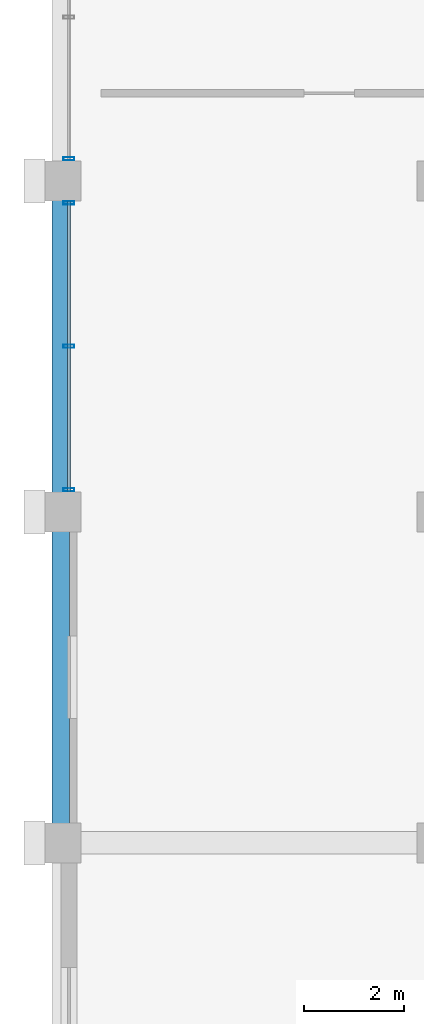
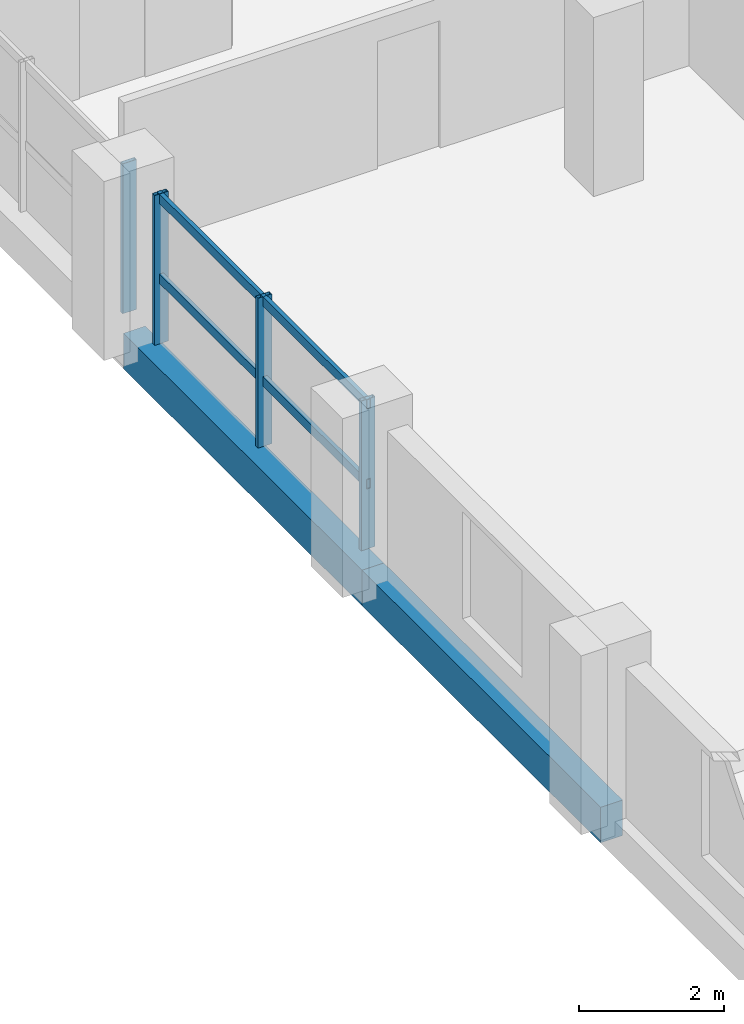
# One storey, part 5 of 23: 6 members, 2 beams, 2 elements without a shape of their own.
"""IFC4 building model written with IfcOpenShell, lengths in metres."""

from ifc_helpers import new_model, si_unit, direction, frame, origin, origin_2d, place, context, subcontext, project, spatial, rectangle, hollow_rectangle, extrude, material, material_profile, profile_set, type_object, element, aggregate, save


model = new_model("IFC4")

# Units and contexts
model_context = context("Model", 3, precision=1e-05, world=origin(), true_north=direction((0.0, 1.0)))
body_context = subcontext(model_context, "Body", "Model", "MODEL_VIEW")
ifc_project = project(units=[si_unit("LENGTHUNIT", "METRE"), si_unit("AREAUNIT", "SQUARE_METRE"), si_unit("VOLUMEUNIT", "CUBIC_METRE"), si_unit("PLANEANGLEUNIT", "RADIAN"), si_unit("MASSUNIT", "GRAM", prefix="KILO")], contexts=[model_context])

# Site, building, storey
site_placement = place(None, origin())
site = spatial("IfcSite", under=ifc_project, at=site_placement, CompositionType="ELEMENT")
building_placement = place(site_placement, origin())
building = spatial("IfcBuilding", under=site, at=building_placement, Name="Akrevak Sports Hall", CompositionType="ELEMENT")
storey_placement = place(building_placement, frame((0.0, 0.0, 43.800048828125)))
storey = spatial("IfcBuildingStorey", under=building, at=storey_placement, Name="L10", CompositionType="ELEMENT", Elevation=43.800048828125)

# Curtain wall, member
ifc_material_1 = material(Name="Anodized Bronze Aluminium & Low-E Glass", Category="aluminium")
curtain_wall_type = type_object("IfcCurtainWallType", Name="ARC-CW-TWR-64x30", PredefinedType="NOTDEFINED", material=ifc_material_1)
curtain_wall_1_placement = place(storey_placement, origin())
curtain_wall_1 = element("IfcCurtainWall", 1, at=curtain_wall_1_placement, inside=storey, type_object=curtain_wall_type, Name="Curtain Wall CW-L10-W30", PredefinedType="NOTDEFINED")
ifc_material_2 = material(Name="Anodized Bronze Aluminium", Category="aluminium")
ifc_material_profile_1 = material_profile(ifc_material_2, hollow_rectangle(XDim=0.06494140625, YDim=0.219970703125, WallThickness=0.00439453125, at=origin_2d()), Name="CWM 65x220", Category="aluminium")
ifc_profile_set_1 = profile_set([ifc_material_profile_1], Name="Anodized Bronze Aluminium")
member_type_1 = type_object("IfcMemberType", Name="ARC-CWM-70x160", PredefinedType="MULLION", material=ifc_profile_set_1)
member_1_placement = place(storey_placement, frame((52.659912109375, 49.0400390625, 0.0), z_axis=(0.0, 0.0, 1.0), x_axis=(0.0, -1.0, 0.0)))
member_1 = element("IfcMember", 2, at=member_1_placement, type_object=member_type_1, Name="Curtain Wall Mullion CW-L10-W30-M3", PredefinedType="MULLION", context=body_context, shape_type="SweptSolid", body=[
    extrude(hollow_rectangle(XDim=0.06494140625, YDim=0.219970703125, WallThickness=0.00439453125, at=origin_2d()), origin(), (0.0, 0.0, 1.0), 2.530029296875),
])
aggregate(curtain_wall_1, [member_1])

# Curtain wall, members
curtain_wall_2_placement = place(storey_placement, origin())
curtain_wall_2 = element("IfcCurtainWall", 3, at=curtain_wall_2_placement, inside=storey, type_object=curtain_wall_type, Name="Curtain Wall CW-L10-W31", PredefinedType="NOTDEFINED")
member_2_placement = place(storey_placement, frame((52.659912109375, 48.159912109375, 0.0), z_axis=(0.0, 0.0, 1.0), x_axis=(0.0, -1.0, 0.0)))
member_2 = element("IfcMember", 4, at=member_2_placement, type_object=member_type_1, Name="Curtain Wall Mullion CW-L10-W31-M1", PredefinedType="MULLION", context=body_context, shape_type="SweptSolid", body=[
    extrude(hollow_rectangle(XDim=0.06494140625, YDim=0.219970703125, WallThickness=0.00439453125, at=origin_2d()), origin(), (0.0, 0.0, 1.0), 2.530029296875),
])
member_3_placement = place(storey_placement, frame((52.659912109375, 45.300048828125, 0.0), z_axis=(0.0, 0.0, 1.0), x_axis=(0.0, -1.0, 0.0)))
member_3 = element("IfcMember", 5, at=member_3_placement, type_object=member_type_1, Name="Curtain Wall Mullion CW-L10-W31-M2", PredefinedType="MULLION", context=body_context, shape_type="SweptSolid", body=[
    extrude(hollow_rectangle(XDim=0.06494140625, YDim=0.219970703125, WallThickness=0.00439453125, at=origin_2d()), origin(), (0.0, 0.0, 1.0), 2.530029296875),
])
member_4_placement = place(storey_placement, frame((52.659912109375, 42.43994140625, 0.0), z_axis=(0.0, 0.0, 1.0), x_axis=(0.0, -1.0, 0.0)))
member_4 = element("IfcMember", 6, at=member_4_placement, type_object=member_type_1, Name="Curtain Wall Mullion CW-L10-W31-M3", PredefinedType="MULLION", context=body_context, shape_type="SweptSolid", body=[
    extrude(hollow_rectangle(XDim=0.06494140625, YDim=0.219970703125, WallThickness=0.00439453125, at=origin_2d()), origin(), (0.0, 0.0, 1.0), 2.530029296875),
])
ifc_material_profile_2 = material_profile(ifc_material_2, hollow_rectangle(XDim=0.06494140625, YDim=0.159912109375, WallThickness=0.00390625, at=origin_2d()), Name="CWT 65x160", Category="aluminium")
ifc_profile_set_2 = profile_set([ifc_material_profile_2], Name="Anodized Bronze Aluminium")
member_type_2 = type_object("IfcMemberType", Name="ARC-CWT-70x130", PredefinedType="USERDEFINED", material=ifc_profile_set_2)
member_5_placement = place(storey_placement, frame((52.659912109375, 48.199951171875, 1.099853515625), z_axis=(0.0, -1.0, 0.0), x_axis=(1.0, 0.0, 0.0)))
member_5 = element("IfcMember", 7, at=member_5_placement, type_object=member_type_2, Name="Curtain Wall Transom CW-L10-W31-T1", ObjectType="TRANSOM", PredefinedType="USERDEFINED", context=body_context, shape_type="SweptSolid", body=[
    extrude(hollow_rectangle(XDim=0.06494140625, YDim=0.159912109375, WallThickness=0.00390625, at=origin_2d()), origin(), (0.0, 0.0, 1.0), 5.800048828125),
])
member_6_placement = place(storey_placement, frame((52.659912109375, 48.199951171875, 2.449951171875), z_axis=(0.0, -1.0, 0.0), x_axis=(1.0, 0.0, 0.0)))
member_6 = element("IfcMember", 8, at=member_6_placement, type_object=member_type_2, Name="Curtain Wall Transom CW-L10-W31-T2", ObjectType="TRANSOM", PredefinedType="USERDEFINED", context=body_context, shape_type="SweptSolid", body=[
    extrude(hollow_rectangle(XDim=0.06494140625, YDim=0.159912109375, WallThickness=0.00390625, at=origin_2d()), origin(), (0.0, 0.0, 1.0), 5.800048828125),
])
aggregate(curtain_wall_2, [member_2, member_3, member_4, member_5, member_6])

# Beams
ifc_material_3 = material(Name="Concrete C40/50", Category="concrete")
ifc_material_profile_3 = material_profile(ifc_material_3, rectangle(XDim=0.35009765625, YDim=0.60009765625, at=origin_2d()), Name="BM 350x600", Category="concrete")
ifc_profile_set_3 = profile_set([ifc_material_profile_3], Name="Concrete C40/50")
beam_type = type_object("IfcBeamType", Name="STR-BM-RC350x600", PredefinedType="BEAM", material=ifc_profile_set_3)
for number, where, z_axis, x_axis, name in (
    (9, (52.5, 35.39990234375, -0.300048828125), (0.0, 1.0, 0.0), (-1.0, 0.0, 0.0), "Girder 8/F-G (L10)"),
    (10, (52.5, 42.0, -0.300048828125), (0.0, 1.0, 0.0), (-1.0, 0.0, 0.0), "Girder 8/G-H (L10)"),
):
    element("IfcBeam", number, at=place(storey_placement, frame(where, z_axis=z_axis, x_axis=x_axis)), inside=storey, type_object=beam_type, Name=name, PredefinedType="BEAM", context=body_context, shape_type="SweptSolid", body=[
        extrude(rectangle(XDim=0.35009765625, YDim=0.60009765625, at=origin_2d()), origin(), (0.0, 0.0, 1.0), 6.60009765625),
    ])

save(model, "model.ifc")
